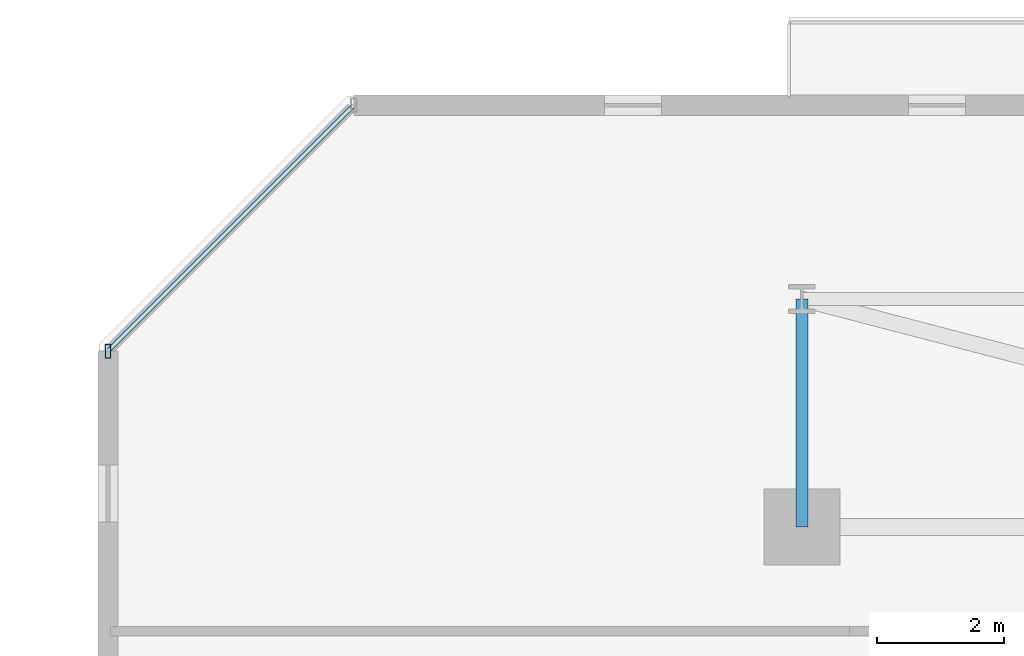
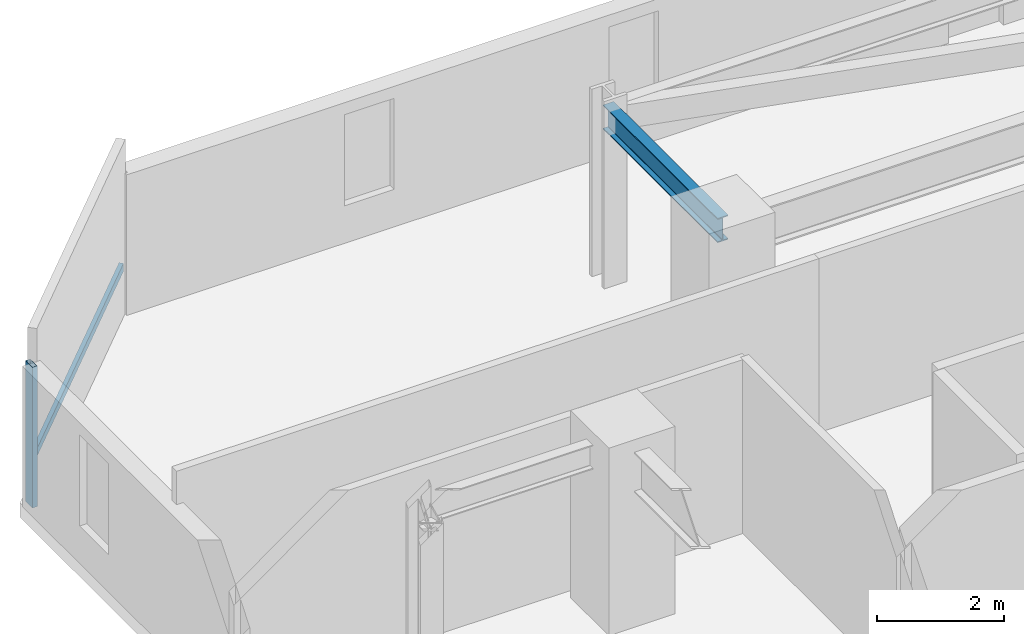
# One storey, part 7 of 33: 2 members, 1 beam, 1 element without a shape of its own.
"""IFC4 building model written with IfcOpenShell, lengths in metres."""

from ifc_helpers import new_model, si_unit, direction, frame, origin, origin_2d, place, context, subcontext, project, spatial, hollow_rectangle, i_section, extrude, material, material_profile, profile_set, type_object, element, aggregate, save


model = new_model("IFC4")

# Units and contexts
model_context = context("Model", 3, precision=1e-05, world=origin(), true_north=direction((0.0, 1.0)))
body_context = subcontext(model_context, "Body", "Model", "MODEL_VIEW")
ifc_project = project(units=[si_unit("LENGTHUNIT", "METRE"), si_unit("AREAUNIT", "SQUARE_METRE"), si_unit("VOLUMEUNIT", "CUBIC_METRE"), si_unit("PLANEANGLEUNIT", "RADIAN"), si_unit("MASSUNIT", "GRAM", prefix="KILO")], contexts=[model_context])

# Site, building, storey
site_placement = place(None, origin())
site = spatial("IfcSite", under=ifc_project, at=site_placement, CompositionType="ELEMENT")
building_placement = place(site_placement, origin())
building = spatial("IfcBuilding", under=site, at=building_placement, Name="Thornwick Lancets Civic Towers", CompositionType="ELEMENT")
storey_placement = place(building_placement, frame((0.0, 0.0, 101.699951171875)))
storey = spatial("IfcBuildingStorey", under=building, at=storey_placement, Name="L26", CompositionType="ELEMENT", Elevation=101.699951171875)

# Beam
ifc_material_1 = material(Name="Steel S355JR", Category="steel")
ifc_material_profile_1 = material_profile(ifc_material_1, i_section(OverallWidth=0.19287109375, OverallDepth=0.46728515625, WebThickness=0.011474609375, FlangeThickness=0.01953125, FilletRadius=0.01025390625, at=origin_2d()), Name="UKB 457x191x98")
ifc_profile_set_1 = profile_set([ifc_material_profile_1], Name="Steel S355JR")
beam_type = type_object("IfcBeamType", Name="BM_JOIST_457_98", PredefinedType="JOIST", material=ifc_profile_set_1)
beam_placement = place(storey_placement, frame((12.5, 44.300048828125, 3.12646484375), z_axis=(0.0, 1.0, 0.0), x_axis=(-1.0, 0.0, 0.0)))
element("IfcBeam", 1, at=beam_placement, inside=storey, type_object=beam_type, Name="BM-RAD-L26-A07", PredefinedType="JOIST", context=body_context, shape_type="SweptSolid", body=[
    extrude(i_section(OverallWidth=0.19287109375, OverallDepth=0.46728515625, WebThickness=0.011474609375, FlangeThickness=0.01953125, FilletRadius=0.01025390625, at=origin_2d()), origin(), (0.0, 0.0, 1.0), 3.599853515625),
])

# Curtain wall, members
ifc_material_2 = material(Name="Low-zone chamfered-corner unitised glass curtain wall", Category="glass")
curtain_wall_type = type_object("IfcCurtainWallType", Name="CW_SYS_03", PredefinedType="NOTDEFINED", material=ifc_material_2)
curtain_wall_placement = place(storey_placement, origin())
curtain_wall = element("IfcCurtainWall", 2, at=curtain_wall_placement, inside=storey, type_object=curtain_wall_type, Name="L26 Curtain Wall CW-L26-A-E5", PredefinedType="NOTDEFINED")
ifc_material_3 = material(Name="Thermally broken bronze aluminium S355", Category="steel")
ifc_material_profile_2 = material_profile(ifc_material_3, hollow_rectangle(XDim=0.090087890625, YDim=0.219970703125, WallThickness=0.00634765625, at=origin_2d()), Name="RHS 220x90x6.3")
ifc_profile_set_2 = profile_set([ifc_material_profile_2], Name="Thermally broken bronze aluminium S355")
member_type_1 = type_object("IfcMemberType", Name="CW_MUL_220", PredefinedType="MULLION", material=ifc_profile_set_2)
member_1_placement = place(storey_placement, frame((1.53955078125, 47.077392578125, 0.0), z_axis=(0.0, 0.0, 1.0), x_axis=(1.0, 0.0, 0.0)))
member_1 = element("IfcMember", 3, at=member_1_placement, type_object=member_type_1, Name="CW-L26-A-E5 Mullion 1", PredefinedType="MULLION", context=body_context, shape_type="SweptSolid", body=[
    extrude(hollow_rectangle(XDim=0.090087890625, YDim=0.219970703125, WallThickness=0.00634765625, at=origin_2d()), origin(), (0.0, 0.0, 1.0), 2.699951171875),
])
ifc_material_profile_3 = material_profile(ifc_material_3, hollow_rectangle(XDim=0.074951171875, YDim=0.14990234375, WallThickness=0.0048828125, at=origin_2d()), Name="RHS 150x75x5")
ifc_profile_set_3 = profile_set([ifc_material_profile_3], Name="Thermally broken bronze aluminium S355")
member_type_2 = type_object("IfcMemberType", Name="CW_TRN_150", PredefinedType="USERDEFINED", material=ifc_profile_set_3)
member_2_placement = place(storey_placement, frame((5.40869140625, 50.9462890625, 0.85009765625), z_axis=(-0.707106781187, -0.707106781187, 0.0), x_axis=(0.707106781187, -0.707106781187, 0.0)))
member_2 = element("IfcMember", 4, at=member_2_placement, type_object=member_type_2, Name="CW-L26-A-E5 Transom 0", ObjectType="TRANSOM", PredefinedType="USERDEFINED", context=body_context, shape_type="SweptSolid", body=[
    extrude(hollow_rectangle(XDim=0.074951171875, YDim=0.14990234375, WallThickness=0.0048828125, at=origin_2d()), origin(), (0.0, 0.0, 1.0), 5.45166015625),
])
aggregate(curtain_wall, [member_1, member_2])

save(model, "model.ifc")
